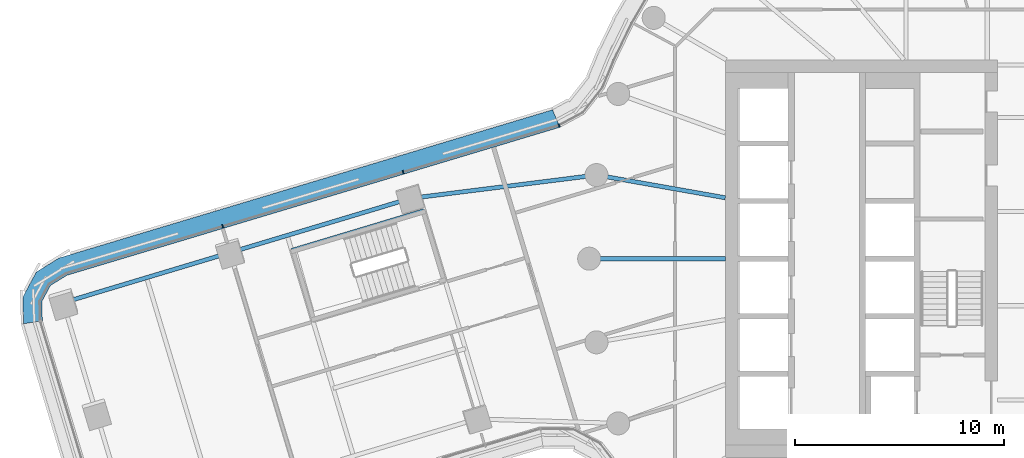
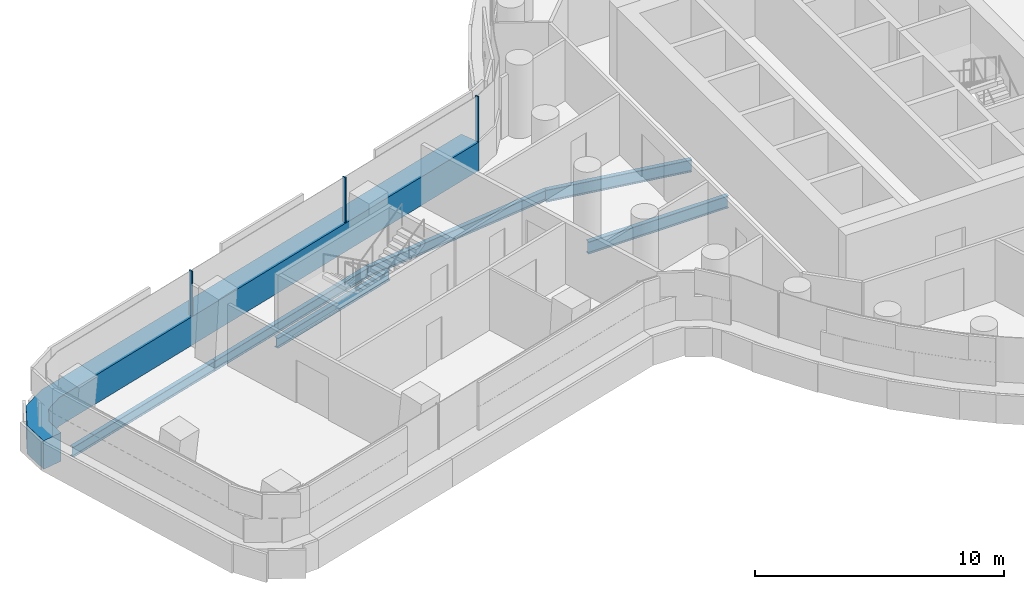
# One storey, part 6 of 32: 6 beams, 4 members, 1 element without a shape of its own.
"""IFC4 building model written with IfcOpenShell, lengths in metres."""

from ifc_helpers import new_model, si_unit, direction, frame, origin, origin_2d, place, context, subcontext, project, spatial, polyline, rectangle, i_section, outline, extrude, material, layer, layer_set, material_profile, profile_set, type_object, element, aggregate, save


model = new_model("IFC4")

# Units and contexts
model_context = context("Model", 3, precision=1e-05, world=origin(), true_north=direction((0.0, 1.0)))
body_context = subcontext(model_context, "Body", "Model", "MODEL_VIEW")
ifc_project = project(units=[si_unit("LENGTHUNIT", "METRE"), si_unit("AREAUNIT", "SQUARE_METRE"), si_unit("VOLUMEUNIT", "CUBIC_METRE"), si_unit("PLANEANGLEUNIT", "RADIAN"), si_unit("MASSUNIT", "GRAM", prefix="KILO")], contexts=[model_context])

# Site, building, storey
site_placement = place(None, origin())
site = spatial("IfcSite", under=ifc_project, at=site_placement, CompositionType="ELEMENT")
building_placement = place(site_placement, origin())
building = spatial("IfcBuilding", under=site, at=building_placement, Name="Tamarind Cross Interchange Tower", CompositionType="ELEMENT")
storey_placement = place(building_placement, frame((0.0, 0.0, 94.75)))
storey = spatial("IfcBuildingStorey", under=building, at=storey_placement, Name="L22", CompositionType="ELEMENT", Elevation=94.75)

# Beams
ifc_material_1 = material(Name="Steel Q355B", Category="steel")
ifc_material_profile_1 = material_profile(ifc_material_1, i_section(OverallWidth=0.198974609375, OverallDepth=0.49609375, WebThickness=0.009033203125, FlangeThickness=0.013916015625, FilletRadius=0.012939453125, at=origin_2d()), Name="HN 496x199x9x14")
ifc_profile_set_1 = profile_set([ifc_material_profile_1], Name="Steel Q355B")
beam_type_1 = type_object("IfcBeamType", Name="Composite beam HN 496x199x9x14 Q355B", PredefinedType="BEAM", material=ifc_profile_set_1)
beam_1_placement = place(storey_placement, frame((-48.119873046875, -2.10205078125, -0.387939453125), z_axis=(0.957739832187, 0.287635904995, 0.0), x_axis=(-0.287635904995, 0.957739832187, 0.0)))
element("IfcBeam", 1, at=beam_1_placement, inside=storey, type_object=beam_type_1, Name="Beam W-edgeem5", PredefinedType="BEAM", context=body_context, shape_type="SweptSolid", body=[
    extrude(i_section(OverallWidth=0.198974609375, OverallDepth=0.49609375, WebThickness=0.009033203125, FlangeThickness=0.013916015625, FilletRadius=0.012939453125, at=origin_2d()), origin(), (0.0, 0.0, 1.0), 8.320556640625),
])
beam_2_placement = place(storey_placement, frame((-40.15087890625, 0.291259765625, -0.387939453125), z_axis=(0.957735151127, 0.287651491037, 0.0), x_axis=(-0.287651491037, 0.957735151127, 0.0)))
element("IfcBeam", 2, at=beam_2_placement, inside=storey, type_object=beam_type_1, Name="Beam W-edgeem6", PredefinedType="BEAM", context=body_context, shape_type="SweptSolid", body=[
    extrude(i_section(OverallWidth=0.198974609375, OverallDepth=0.49609375, WebThickness=0.009033203125, FlangeThickness=0.013916015625, FilletRadius=0.012939453125, at=origin_2d()), origin(), (0.0, 0.0, 1.0), 9.0),
])
beam_3_placement = place(storey_placement, frame((-31.53125, 2.880126953125, -0.387939453125), z_axis=(0.992227015039, 0.124440952374, 0.0), x_axis=(-0.124440952374, 0.992227015039, 0.0)))
element("IfcBeam", 3, at=beam_3_placement, inside=storey, type_object=beam_type_1, Name="Beam W-linkem", PredefinedType="BEAM", context=body_context, shape_type="SweptSolid", body=[
    extrude(i_section(OverallWidth=0.198974609375, OverallDepth=0.49609375, WebThickness=0.009033203125, FlangeThickness=0.013916015625, FilletRadius=0.012939453125, at=origin_2d()), origin(), (0.0, 0.0, 1.0), 8.9501953125),
])
beam_4_placement = place(storey_placement, frame((-30.884521484375, 2.291259765625, -0.387939453125), z_axis=(-0.957737664595, -0.287643122316, 0.0), x_axis=(0.287643122316, -0.957737664595, 0.0)))
element("IfcBeam", 4, at=beam_4_placement, inside=storey, type_object=beam_type_1, Name="Beam W-tr0", PredefinedType="BEAM", context=body_context, shape_type="SweptSolid", body=[
    extrude(i_section(OverallWidth=0.198974609375, OverallDepth=0.49609375, WebThickness=0.009033203125, FlangeThickness=0.013916015625, FilletRadius=0.012939453125, at=origin_2d()), origin(), (0.0, 0.0, 1.0), 6.599853515625),
])
ifc_material_profile_2 = material_profile(ifc_material_1, i_section(OverallWidth=0.198974609375, OverallDepth=0.595947265625, WebThickness=0.010009765625, FlangeThickness=0.014892578125, FilletRadius=0.012939453125, at=origin_2d()), Name="HN 596x199x10x15")
ifc_profile_set_2 = profile_set([ifc_material_profile_2], Name="Steel Q355B")
beam_type_2 = type_object("IfcBeamType", Name="Composite beam HN 596x199x10x15 Q355B", PredefinedType="BEAM", material=ifc_profile_set_2)
beam_5_placement = place(storey_placement, frame((-22.650634765625, 3.993896484375, -0.43798828125), z_axis=(0.984809127561, -0.173640382036, 0.0), x_axis=(0.173640382036, 0.984809127561, 0.0)))
element("IfcBeam", 5, at=beam_5_placement, inside=storey, type_object=beam_type_2, Name="Beam HH17", PredefinedType="BEAM", context=body_context, shape_type="SweptSolid", body=[
    extrude(i_section(OverallWidth=0.198974609375, OverallDepth=0.595947265625, WebThickness=0.010009765625, FlangeThickness=0.014892578125, FilletRadius=0.012939453125, at=origin_2d()), origin(), (0.0, 0.0, 1.0), 6.24560546875),
])
beam_6_placement = place(storey_placement, frame((-23.0, 0.0, -0.43798828125), z_axis=(1.0, 0.0, 0.0), x_axis=(0.0, 1.0, 0.0)))
element("IfcBeam", 6, at=beam_6_placement, inside=storey, type_object=beam_type_2, Name="Beam HH18", PredefinedType="BEAM", context=body_context, shape_type="SweptSolid", body=[
    extrude(i_section(OverallWidth=0.198974609375, OverallDepth=0.595947265625, WebThickness=0.010009765625, FlangeThickness=0.014892578125, FilletRadius=0.012939453125, at=origin_2d()), origin(), (0.0, 0.0, 1.0), 6.5),
])

# Curtain wall, members
ifc_material_2 = material(Name="Aluminium 6063-T6", Category="aluminium")
ifc_layer = layer(ifc_material_2, 0.159912109375)
ifc_layer_set = layer_set([ifc_layer], Name="Aluminium 6063-T6")
curtain_wall_type = type_object("IfcCurtainWallType", Name="Office curtain wall, 9.0 m bays", PredefinedType="NOTDEFINED", material=ifc_layer_set)
curtain_wall_placement = place(storey_placement, origin())
curtain_wall = element("IfcCurtainWall", 7, at=curtain_wall_placement, inside=storey, type_object=curtain_wall_type, Name="CWS-L22-03", PredefinedType="NOTDEFINED")
ifc_material_3 = material(Name="Aluminium and insulated spandrel panel", Category="aluminium")
member_type_1 = type_object("IfcMemberType", Name="Floor-edge blade transom", PredefinedType="USERDEFINED", material=ifc_material_3)
member_1_placement = place(storey_placement, origin())
member_1 = element("IfcMember", 8, at=member_1_placement, type_object=member_type_1, Name="CWT-L22-03", ObjectType="TRANSOM", PredefinedType="USERDEFINED", context=body_context, shape_type="SweptSolid", body=[
    extrude(outline(polyline([(-24.3994140625, 6.27490234375), (-47.948486328125, -0.797607421875), (-48.72705078125, -1.27880859375), (-49.141357421875, -2.048828125), (-49.114013671875, -2.9638671875), (-50.010009765625, -3.109375), (-50.04833984375, -1.834716796875), (-49.4052734375, -0.639892578125), (-48.32080078125, 0.0302734375), (-24.747314453125, 7.110107421875), (-24.3994140625, 6.27490234375)])), origin(), (0.0, 0.0, 1.0), 1.39990234375),
])
ifc_material_profile_3 = material_profile(ifc_material_2, rectangle(XDim=0.06005859375, YDim=0.159912109375, at=origin_2d()), Name="Mullion CW1")
ifc_profile_set_3 = profile_set([ifc_material_profile_3], Name="Aluminium 6063-T6")
member_type_2 = type_object("IfcMemberType", Name="Mullion CW1", PredefinedType="MULLION", material=ifc_profile_set_3)
member_2_placement = place(storey_placement, frame((-24.43798828125, 6.367919921875, 1.39990234375), z_axis=(0.0, 0.0, 1.0), x_axis=(-0.923080250788, -0.384607398011, 0.0)))
member_2 = element("IfcMember", 9, at=member_2_placement, type_object=member_type_2, Name="CWM-L22-03-00", PredefinedType="MULLION", context=body_context, shape_type="SweptSolid", body=[
    extrude(rectangle(XDim=0.06005859375, YDim=0.159912109375, at=origin_2d()), origin(), (0.0, 0.0, 1.0), 2.210205078125),
])
member_3_placement = place(storey_placement, frame((-31.883544921875, 4.131591796875, 1.39990234375), z_axis=(0.0, 0.0, 1.0), x_axis=(-0.957738195167, -0.287641355717, 0.0)))
member_3 = element("IfcMember", 10, at=member_3_placement, type_object=member_type_2, Name="CWM-L22-03-01", PredefinedType="MULLION", context=body_context, shape_type="SweptSolid", body=[
    extrude(rectangle(XDim=0.06005859375, YDim=0.159912109375, at=origin_2d()), origin(), (0.0, 0.0, 1.0), 2.210205078125),
])
member_4_placement = place(storey_placement, frame((-40.50146484375, 1.54345703125, 1.39990234375), z_axis=(0.0, 0.0, 1.0), x_axis=(-0.957738195167, -0.287641355717, 0.0)))
member_4 = element("IfcMember", 11, at=member_4_placement, type_object=member_type_2, Name="CWM-L22-03-02", PredefinedType="MULLION", context=body_context, shape_type="SweptSolid", body=[
    extrude(rectangle(XDim=0.06005859375, YDim=0.159912109375, at=origin_2d()), origin(), (0.0, 0.0, 1.0), 2.210205078125),
])
aggregate(curtain_wall, [member_2, member_3, member_4, member_1])

save(model, "model.ifc")
